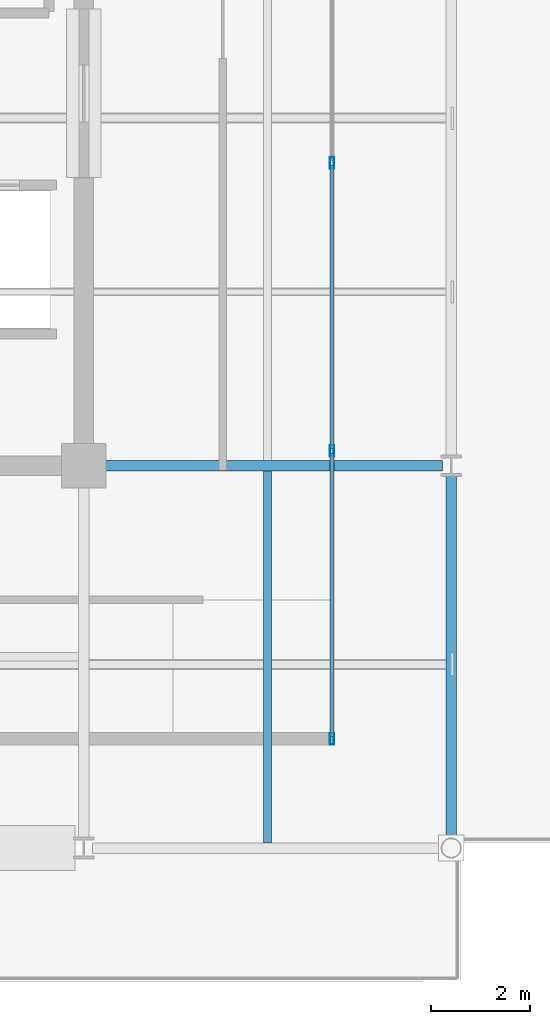
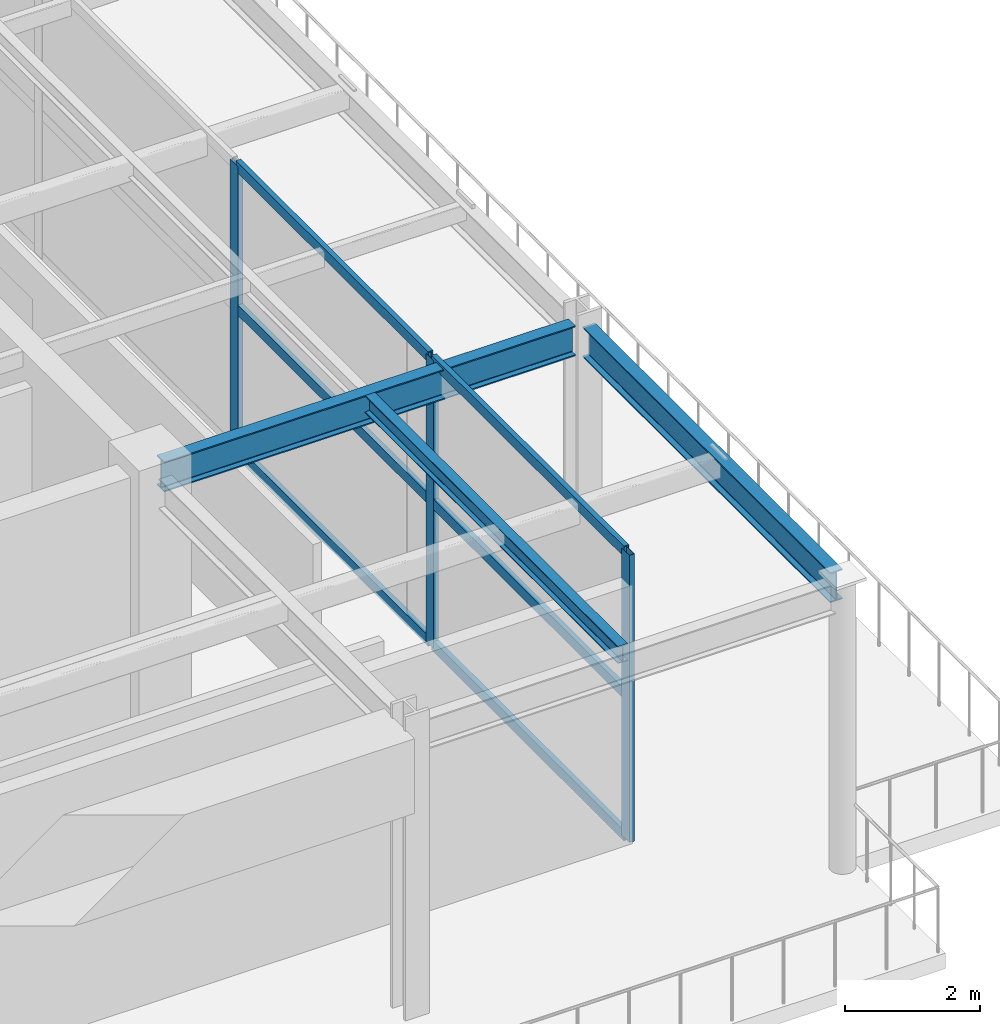
# One storey, part 6 of 16: 9 members, 3 beams, 1 element without a shape of its own.
"""IFC4 building model written with IfcOpenShell, lengths in metres."""

from ifc_helpers import new_model, si_unit, direction, frame, origin, origin_2d, place, context, subcontext, project, spatial, hollow_rectangle, i_section, extrude, material, material_profile, profile_set, type_object, element, aggregate, save


model = new_model("IFC4")

# Units and contexts
model_context = context("Model", 3, precision=1e-05, world=origin(), true_north=direction((0.0, 1.0)))
body_context = subcontext(model_context, "Body", "Model", "MODEL_VIEW")
ifc_project = project(units=[si_unit("LENGTHUNIT", "METRE"), si_unit("AREAUNIT", "SQUARE_METRE"), si_unit("VOLUMEUNIT", "CUBIC_METRE"), si_unit("PLANEANGLEUNIT", "RADIAN"), si_unit("MASSUNIT", "GRAM", prefix="KILO")], contexts=[model_context])

# Site, building, storey
site_placement = place(None, origin())
site = spatial("IfcSite", under=ifc_project, at=site_placement, CompositionType="ELEMENT")
building_placement = place(site_placement, origin())
building = spatial("IfcBuilding", under=site, at=building_placement, Name="Kovane Verandah Tower", CompositionType="ELEMENT")
storey_placement = place(building_placement, frame((0.0, 0.0, 354.300048828125)))
storey = spatial("IfcBuildingStorey", under=building, at=storey_placement, Name="L82", CompositionType="ELEMENT", Elevation=354.300048828125)

# Beams
ifc_material_1 = material(Name="Steel S355", Category="steel")
ifc_material_profile_1 = material_profile(ifc_material_1, i_section(OverallWidth=0.2119140625, OverallDepth=0.54443359375, WebThickness=0.0126953125, FlangeThickness=0.021240234375, FilletRadius=0.0126953125, at=origin_2d()), Name="UB533x210x122")
ifc_profile_set_1 = profile_set([ifc_material_profile_1], Name="Steel S355")
beam_type_1 = type_object("IfcBeamType", Name="BM-UB533x122", PredefinedType="BEAM", material=ifc_profile_set_1)
beam_1_placement = place(storey_placement, frame((58.39990234375, 10.97998046875, 4.9677734375), z_axis=(0.0, 1.0, 0.0), x_axis=(-1.0, 0.0, 0.0)))
element("IfcBeam", 1, at=beam_1_placement, inside=storey, type_object=beam_type_1, Name="L82 Primary Tower Girder G-RE1", PredefinedType="BEAM", context=body_context, shape_type="SweptSolid", body=[
    extrude(i_section(OverallWidth=0.2119140625, OverallDepth=0.54443359375, WebThickness=0.0126953125, FlangeThickness=0.021240234375, FilletRadius=0.0126953125, at=origin_2d()), origin(), (0.0, 0.0, 1.0), 7.340087890625),
])
beam_2_placement = place(storey_placement, frame((51.179931640625, 18.5, 4.9677734375), z_axis=(1.0, 0.0, 0.0), x_axis=(0.0, 1.0, 0.0)))
element("IfcBeam", 2, at=beam_2_placement, inside=storey, type_object=beam_type_1, Name="L82 Primary Tower Girder G-E1", PredefinedType="BEAM", context=body_context, shape_type="SweptSolid", body=[
    extrude(i_section(OverallWidth=0.2119140625, OverallDepth=0.54443359375, WebThickness=0.0126953125, FlangeThickness=0.021240234375, FilletRadius=0.0126953125, at=origin_2d()), origin(), (0.0, 0.0, 1.0), 7.0400390625),
])

# Curtain wall, members
ifc_material_2 = material(Name="Champagne Anodised Aluminium Frame with Low-E Clear Laminated Glass", Category="aluminium")
curtain_wall_type = type_object("IfcCurtainWallType", Name="CW-SYS-06-CROWN", PredefinedType="NOTDEFINED", material=ifc_material_2)
curtain_wall_placement = place(storey_placement, origin())
curtain_wall = element("IfcCurtainWall", 3, at=curtain_wall_placement, inside=storey, type_object=curtain_wall_type, Name="L82 Crown Enclosure Curtain Wall E", PredefinedType="NOTDEFINED")
ifc_material_3 = material(Name="Champagne Anodised Aluminium 6063-T6", Category="aluminium")
ifc_material_profile_2 = material_profile(ifc_material_3, hollow_rectangle(XDim=0.0849609375, YDim=0.22998046875, WallThickness=0.00390625, at=origin_2d()), Name="AL85x230x4")
ifc_profile_set_2 = profile_set([ifc_material_profile_2], Name="Champagne Anodised Aluminium 6063-T6")
member_type_1 = type_object("IfcMemberType", Name="CW-MUL-85x230", PredefinedType="MULLION", material=ifc_profile_set_2)
member_1_placement = place(storey_placement, frame((56.0, 13.0, 0.02001953125), z_axis=(0.0, 0.0, 1.0), x_axis=(1.0, 0.0, 0.0)))
member_1 = element("IfcMember", 4, at=member_1_placement, type_object=member_type_1, Name="L82 Crown Enclosure Curtain Wall E Mullion 1", PredefinedType="MULLION", context=body_context, shape_type="SweptSolid", body=[
    extrude(hollow_rectangle(XDim=0.0849609375, YDim=0.22998046875, WallThickness=0.00390625, at=origin_2d()), origin(), (0.0, 0.0, 1.0), 5.199951171875),
])
member_2_placement = place(storey_placement, frame((56.0, 18.800048828125, 0.02001953125), z_axis=(0.0, 0.0, 1.0), x_axis=(1.0, 0.0, 0.0)))
member_2 = element("IfcMember", 5, at=member_2_placement, type_object=member_type_1, Name="L82 Crown Enclosure Curtain Wall E Mullion 2", PredefinedType="MULLION", context=body_context, shape_type="SweptSolid", body=[
    extrude(hollow_rectangle(XDim=0.0849609375, YDim=0.22998046875, WallThickness=0.00390625, at=origin_2d()), origin(), (0.0, 0.0, 1.0), 5.199951171875),
])
member_3_placement = place(storey_placement, frame((56.0, 24.60009765625, 0.02001953125), z_axis=(0.0, 0.0, 1.0), x_axis=(1.0, 0.0, 0.0)))
member_3 = element("IfcMember", 6, at=member_3_placement, type_object=member_type_1, Name="L82 Crown Enclosure Curtain Wall E Mullion 3", PredefinedType="MULLION", context=body_context, shape_type="SweptSolid", body=[
    extrude(hollow_rectangle(XDim=0.0849609375, YDim=0.22998046875, WallThickness=0.00390625, at=origin_2d()), origin(), (0.0, 0.0, 1.0), 5.199951171875),
])
ifc_material_profile_3 = material_profile(ifc_material_3, hollow_rectangle(XDim=0.0849609375, YDim=0.18994140625, WallThickness=0.00390625, at=origin_2d()), Name="AL85x190x4")
ifc_profile_set_3 = profile_set([ifc_material_profile_3], Name="Champagne Anodised Aluminium 6063-T6")
member_type_2 = type_object("IfcMemberType", Name="CW-TRN-85x190", PredefinedType="USERDEFINED", material=ifc_profile_set_3)
member_4_placement = place(storey_placement, frame((56.0, 13.050048828125, 0.050048828125), z_axis=(0.0, 1.0, 0.0), x_axis=(-1.0, 0.0, 0.0)))
member_4 = element("IfcMember", 7, at=member_4_placement, type_object=member_type_2, Name="L82 Crown Enclosure Curtain Wall E Transom TB Bay 1", ObjectType="TRANSOM", PredefinedType="USERDEFINED", context=body_context, shape_type="SweptSolid", body=[
    extrude(hollow_rectangle(XDim=0.0849609375, YDim=0.18994140625, WallThickness=0.00390625, at=origin_2d()), origin(), (0.0, 0.0, 1.0), 5.699951171875),
])
member_5_placement = place(storey_placement, frame((56.0, 13.050048828125, 2.619873046875), z_axis=(0.0, 1.0, 0.0), x_axis=(-1.0, 0.0, 0.0)))
member_5 = element("IfcMember", 8, at=member_5_placement, type_object=member_type_2, Name="L82 Crown Enclosure Curtain Wall E Transom TM Bay 1", ObjectType="TRANSOM", PredefinedType="USERDEFINED", context=body_context, shape_type="SweptSolid", body=[
    extrude(hollow_rectangle(XDim=0.0849609375, YDim=0.18994140625, WallThickness=0.00390625, at=origin_2d()), origin(), (0.0, 0.0, 1.0), 5.699951171875),
])
member_6_placement = place(storey_placement, frame((56.0, 13.050048828125, 5.18994140625), z_axis=(0.0, 1.0, 0.0), x_axis=(-1.0, 0.0, 0.0)))
member_6 = element("IfcMember", 9, at=member_6_placement, type_object=member_type_2, Name="L82 Crown Enclosure Curtain Wall E Transom TT Bay 1", ObjectType="TRANSOM", PredefinedType="USERDEFINED", context=body_context, shape_type="SweptSolid", body=[
    extrude(hollow_rectangle(XDim=0.0849609375, YDim=0.18994140625, WallThickness=0.00390625, at=origin_2d()), origin(), (0.0, 0.0, 1.0), 5.699951171875),
])
member_7_placement = place(storey_placement, frame((56.0, 18.85009765625, 0.050048828125), z_axis=(0.0, 1.0, 0.0), x_axis=(-1.0, 0.0, 0.0)))
member_7 = element("IfcMember", 10, at=member_7_placement, type_object=member_type_2, Name="L82 Crown Enclosure Curtain Wall E Transom TB Bay 2", ObjectType="TRANSOM", PredefinedType="USERDEFINED", context=body_context, shape_type="SweptSolid", body=[
    extrude(hollow_rectangle(XDim=0.0849609375, YDim=0.18994140625, WallThickness=0.00390625, at=origin_2d()), origin(), (0.0, 0.0, 1.0), 5.699951171875),
])
member_8_placement = place(storey_placement, frame((56.0, 18.85009765625, 2.619873046875), z_axis=(0.0, 1.0, 0.0), x_axis=(-1.0, 0.0, 0.0)))
member_8 = element("IfcMember", 11, at=member_8_placement, type_object=member_type_2, Name="L82 Crown Enclosure Curtain Wall E Transom TM Bay 2", ObjectType="TRANSOM", PredefinedType="USERDEFINED", context=body_context, shape_type="SweptSolid", body=[
    extrude(hollow_rectangle(XDim=0.0849609375, YDim=0.18994140625, WallThickness=0.00390625, at=origin_2d()), origin(), (0.0, 0.0, 1.0), 5.699951171875),
])
member_9_placement = place(storey_placement, frame((56.0, 18.85009765625, 5.18994140625), z_axis=(0.0, 1.0, 0.0), x_axis=(-1.0, 0.0, 0.0)))
member_9 = element("IfcMember", 12, at=member_9_placement, type_object=member_type_2, Name="L82 Crown Enclosure Curtain Wall E Transom TT Bay 2", ObjectType="TRANSOM", PredefinedType="USERDEFINED", context=body_context, shape_type="SweptSolid", body=[
    extrude(hollow_rectangle(XDim=0.0849609375, YDim=0.18994140625, WallThickness=0.00390625, at=origin_2d()), origin(), (0.0, 0.0, 1.0), 5.699951171875),
])
aggregate(curtain_wall, [member_1, member_2, member_3, member_4, member_5, member_6, member_7, member_8, member_9])

# Beam
ifc_material_profile_4 = material_profile(ifc_material_1, i_section(OverallWidth=0.1669921875, OverallDepth=0.310302734375, WebThickness=0.0078125, FlangeThickness=0.013671875, FilletRadius=0.0087890625, at=origin_2d()), Name="UB305x165x54")
ifc_profile_set_4 = profile_set([ifc_material_profile_4], Name="Steel S355")
beam_type_2 = type_object("IfcBeamType", Name="JST-UB305x54", PredefinedType="JOIST", material=ifc_profile_set_4)
beam_3_placement = place(storey_placement, frame((54.699951171875, 10.904052734375, 5.084716796875), z_axis=(0.0, 1.0, 0.0), x_axis=(-1.0, 0.0, 0.0)))
element("IfcBeam", 13, at=beam_3_placement, inside=storey, type_object=beam_type_2, Name="L82 Secondary Composite Joist J-SE1", PredefinedType="JOIST", context=body_context, shape_type="SweptSolid", body=[
    extrude(i_section(OverallWidth=0.1669921875, OverallDepth=0.310302734375, WebThickness=0.0078125, FlangeThickness=0.013671875, FilletRadius=0.0087890625, at=origin_2d()), origin(), (0.0, 0.0, 1.0), 7.491943359375),
])

save(model, "model.ifc")
